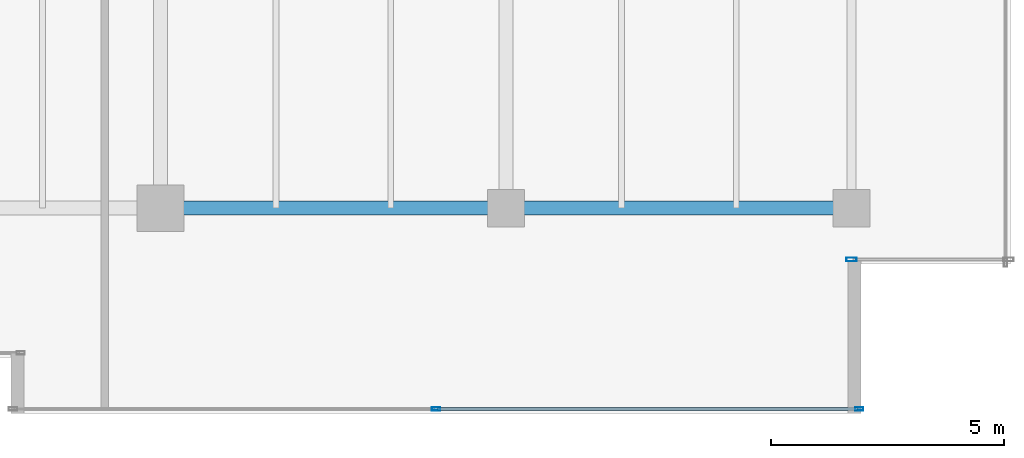
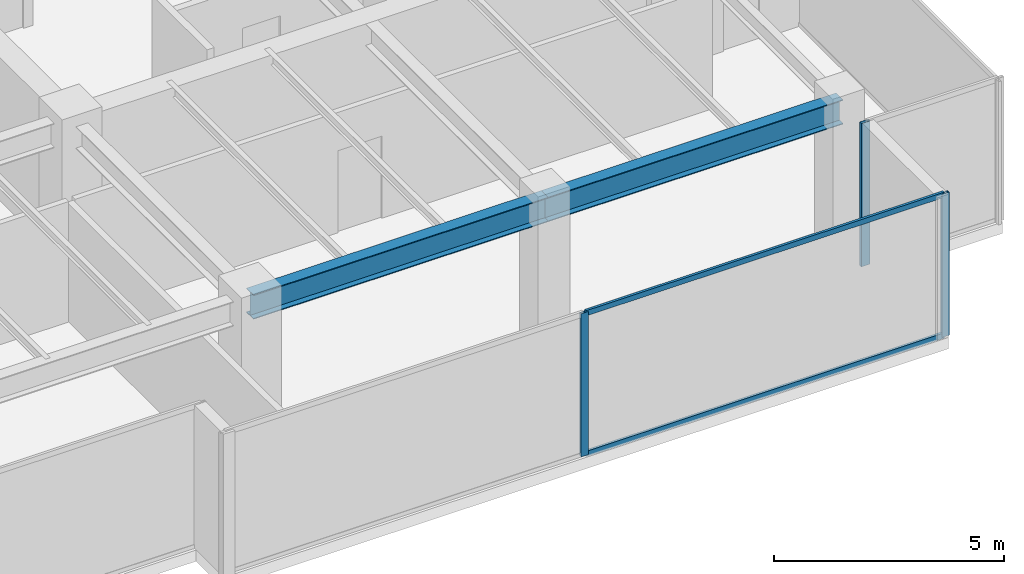
# One storey, part 13 of 33: 5 members, 2 beams, 2 elements without a shape of their own.
"""IFC4 building model written with IfcOpenShell, lengths in metres."""

from ifc_helpers import new_model, si_unit, direction, frame, origin, origin_2d, place, context, subcontext, project, spatial, hollow_rectangle, i_section, extrude, source, transform, mapped, material, layer, layer_set, material_profile, profile_set, type_object, type_shapes, element, aggregate, save


model = new_model("IFC4")

# Units and contexts
model_context = context("Model", 3, precision=1e-05, world=origin(), true_north=direction((0.0, 1.0)))
body_context = subcontext(model_context, "Body", "Model", "MODEL_VIEW")
ifc_project = project(units=[si_unit("LENGTHUNIT", "METRE"), si_unit("AREAUNIT", "SQUARE_METRE"), si_unit("VOLUMEUNIT", "CUBIC_METRE"), si_unit("PLANEANGLEUNIT", "RADIAN"), si_unit("MASSUNIT", "GRAM", prefix="KILO")], contexts=[model_context])

# Site, building, storey
site_placement = place(None, origin())
site = spatial("IfcSite", under=ifc_project, at=site_placement, CompositionType="ELEMENT")
building_placement = place(site_placement, origin())
building = spatial("IfcBuilding", under=site, at=building_placement, Name="Haelvirn Gate Laboratories", CompositionType="ELEMENT")
storey_placement = place(building_placement, frame((0.0, 0.0, 271.10009765625)))
storey = spatial("IfcBuildingStorey", under=building, at=storey_placement, Name="L65", CompositionType="ELEMENT", Elevation=271.10009765625)

# Beams
ifc_material_1 = material(Name="Steel SM355", Category="steel")
ifc_material_profile_1 = material_profile(ifc_material_1, i_section(OverallWidth=0.300048828125, OverallDepth=0.64990234375, WebThickness=0.012939453125, FlangeThickness=0.02197265625, at=origin_2d()), Name="H-650x300x13x22")
ifc_profile_set_1 = profile_set([ifc_material_profile_1], Name="Steel SM355")
beam_type = type_object("IfcBeamType", Name="BM-G-650", PredefinedType="BEAM", material=ifc_profile_set_1)
shared_shape_1 = source(origin(), body_context, "Body", "SweptSolid", [
    extrude(i_section(OverallWidth=0.300048828125, OverallDepth=0.64990234375, WebThickness=0.012939453125, FlangeThickness=0.02197265625, at=origin_2d()), origin(), (0.0, 0.0, 1.0), 7.39990234375),
])
type_shapes(beam_type, [shared_shape_1])
for number, where, z_axis, x_axis, name in (
    (1, (52.60009765625, 7.0, 3.474853515625), (1.0, 0.0, 0.0), (0.0, 1.0, 0.0), "L65 Primary Girder Y7.0 (52.6-60.0)"),
    (2, (60.0, 7.0, 3.474853515625), (1.0, 0.0, 0.0), (0.0, 1.0, 0.0), "L65 Primary Girder Y7.0 (60.0-67.4)"),
):
    element("IfcBeam", number, at=place(storey_placement, frame(where, z_axis=z_axis, x_axis=x_axis)), inside=storey, type_object=beam_type, Name=name, PredefinedType="BEAM", context=body_context, shape_type="MappedRepresentation", body=[
        mapped(shared_shape_1, transform((0.0, 0.0, 0.0), scale=1.0)),
    ])

# Curtain wall, members
ifc_material_2 = material(Name="Anodised bronze unitised aluminium & triple low-E glass", Category="aluminium")
ifc_layer_1 = layer(ifc_material_2, 0.176025390625, Name="CW-SYS-4")
ifc_layer_set_1 = layer_set([ifc_layer_1], Name="Anodised bronze unitised aluminium & triple low-E glass")
curtain_wall_type_1 = type_object("IfcCurtainWallType", Name="CW-SYS-4", PredefinedType="NOTDEFINED", material=ifc_layer_set_1)
curtain_wall_1_placement = place(storey_placement, origin())
curtain_wall_1 = element("IfcCurtainWall", 3, at=curtain_wall_1_placement, inside=storey, type_object=curtain_wall_type_1, Name="L65 Unitised Curtain Wall CW-L65-P0-E04-1", PredefinedType="NOTDEFINED")
ifc_material_3 = material(Name="Extruded aluminium 6063-T6 (anodised bronze)", Category="aluminium")
ifc_material_profile_2 = material_profile(ifc_material_3, hollow_rectangle(XDim=0.06494140625, YDim=0.139892578125, WallThickness=0.00390625, at=origin_2d()), Name="CWT-140x65x4")
ifc_profile_set_2 = profile_set([ifc_material_profile_2], Name="Extruded aluminium 6063-T6 (anodised bronze)")
member_type_1 = type_object("IfcMemberType", Name="CWT-T140", PredefinedType="USERDEFINED", material=ifc_profile_set_2)
shared_shape_2 = source(origin(), body_context, "Body", "SweptSolid", [
    extrude(hollow_rectangle(XDim=0.06494140625, YDim=0.139892578125, WallThickness=0.00390625, at=origin_2d()), origin(), (0.0, 0.0, 1.0), 8.9951171875),
])
type_shapes(member_type_1, [shared_shape_2])
member_1_placement = place(storey_placement, frame((58.534912109375, 2.699951171875, 0.032470703125), z_axis=(1.0, 0.0, 0.0), x_axis=(0.0, 1.0, 0.0)))
member_1 = element("IfcMember", 4, at=member_1_placement, type_object=member_type_1, Name="CW4 transom 2.1", ObjectType="TRANSOM", PredefinedType="USERDEFINED", context=body_context, shape_type="MappedRepresentation", body=[
    mapped(shared_shape_2, transform((0.0, 0.0, 0.0), scale=1.0)),
])
member_2_placement = place(storey_placement, frame((58.534912109375, 2.699951171875, 3.767333984375), z_axis=(1.0, 0.0, 0.0), x_axis=(0.0, 1.0, 0.0)))
member_2 = element("IfcMember", 5, at=member_2_placement, type_object=member_type_1, Name="CW4 transom 2.2", ObjectType="TRANSOM", PredefinedType="USERDEFINED", context=body_context, shape_type="MappedRepresentation", body=[
    mapped(shared_shape_2, transform((0.0, 0.0, 0.0), scale=1.0)),
])
ifc_material_profile_3 = material_profile(ifc_material_3, hollow_rectangle(XDim=0.070068359375, YDim=0.179931640625, WallThickness=0.0048828125, at=origin_2d()), Name="CWM-180x70x5")
ifc_profile_set_3 = profile_set([ifc_material_profile_3], Name="Extruded aluminium 6063-T6 (anodised bronze)")
member_type_2 = type_object("IfcMemberType", Name="CWM-T180", PredefinedType="MULLION", material=ifc_profile_set_3)
shared_shape_3 = source(origin(), body_context, "Body", "SweptSolid", [
    extrude(hollow_rectangle(XDim=0.070068359375, YDim=0.179931640625, WallThickness=0.0048828125, at=origin_2d()), origin(), (0.0, 0.0, 1.0), 3.7998046875),
])
type_shapes(member_type_2, [shared_shape_3])
member_3_placement = place(storey_placement, frame((58.5, 2.699951171875, 0.0), z_axis=(0.0, 0.0, 1.0), x_axis=(0.0, 1.0, 0.0)))
member_3 = element("IfcMember", 6, at=member_3_placement, type_object=member_type_2, Name="CW4 mullion 2", PredefinedType="MULLION", context=body_context, shape_type="MappedRepresentation", body=[
    mapped(shared_shape_3, transform((0.0, 0.0, 0.0), scale=1.0)),
])
member_4_placement = place(storey_placement, frame((67.56494140625, 2.699951171875, 0.0), z_axis=(0.0, 0.0, 1.0), x_axis=(0.0, 1.0, 0.0)))
member_4 = element("IfcMember", 7, at=member_4_placement, type_object=member_type_2, Name="CW4 mullion 3", PredefinedType="MULLION", context=body_context, shape_type="MappedRepresentation", body=[
    mapped(shared_shape_3, transform((0.0, 0.0, 0.0), scale=1.0)),
])
aggregate(curtain_wall_1, [member_3, member_4, member_1, member_2])

# Curtain wall, member
ifc_layer_2 = layer(ifc_material_2, 0.181884765625, Name="CW-SYS-5")
ifc_layer_set_2 = layer_set([ifc_layer_2], Name="Anodised bronze unitised aluminium & triple low-E glass")
curtain_wall_type_2 = type_object("IfcCurtainWallType", Name="CW-SYS-5", PredefinedType="NOTDEFINED", material=ifc_layer_set_2)
curtain_wall_2_placement = place(storey_placement, origin())
curtain_wall_2 = element("IfcCurtainWall", 8, at=curtain_wall_2_placement, inside=storey, type_object=curtain_wall_type_2, Name="L65 Unitised Curtain Wall CW-L65-P0-E06-1", PredefinedType="NOTDEFINED")
ifc_material_profile_4 = material_profile(ifc_material_3, hollow_rectangle(XDim=0.080078125, YDim=0.219970703125, WallThickness=0.006103515625, at=origin_2d()), Name="CWM-220x80x6")
ifc_profile_set_4 = profile_set([ifc_material_profile_4], Name="Extruded aluminium 6063-T6 (anodised bronze)")
member_type_3 = type_object("IfcMemberType", Name="CWM-T220", PredefinedType="MULLION", material=ifc_profile_set_4)
shared_shape_4 = source(origin(), body_context, "Body", "SweptSolid", [
    extrude(hollow_rectangle(XDim=0.080078125, YDim=0.219970703125, WallThickness=0.006103515625, at=origin_2d()), origin(), (0.0, 0.0, 1.0), 3.7998046875),
])
type_shapes(member_type_3, [shared_shape_4])
member_5_placement = place(storey_placement, frame((67.39990234375, 5.89990234375, 0.0), z_axis=(0.0, 0.0, 1.0), x_axis=(0.0, 1.0, 0.0)))
member_5 = element("IfcMember", 9, at=member_5_placement, type_object=member_type_3, Name="CW5 mullion 1", PredefinedType="MULLION", context=body_context, shape_type="MappedRepresentation", body=[
    mapped(shared_shape_4, transform((0.0, 0.0, 0.0), scale=1.0)),
])
aggregate(curtain_wall_2, [member_5])

save(model, "model.ifc")
